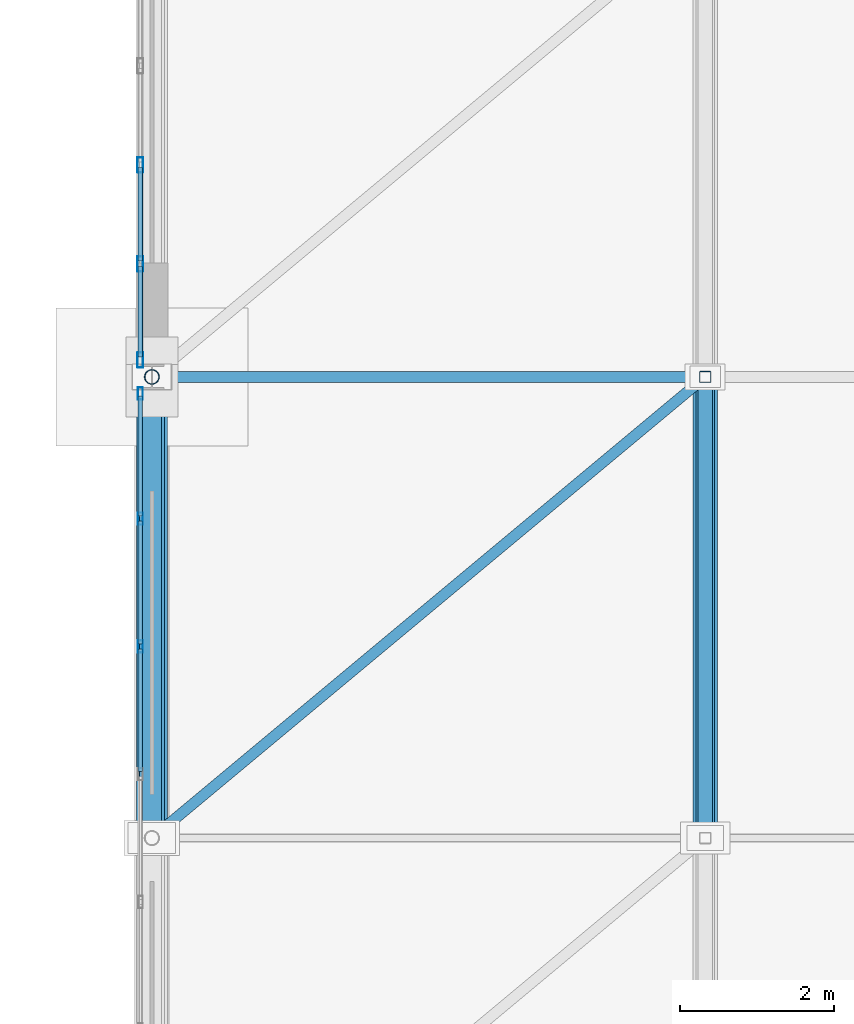
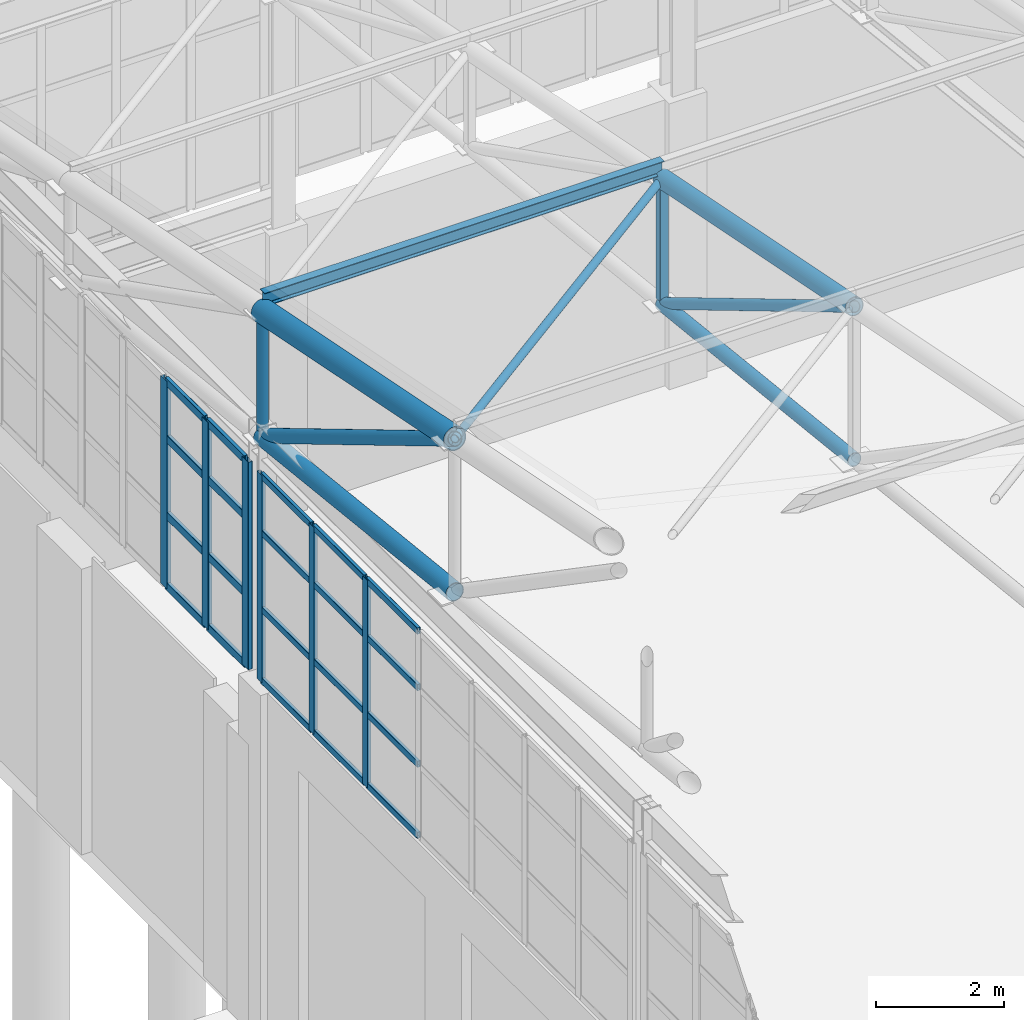
# One storey, part 197 of 293: 36 members, 2 elements without a shape of their own.
"""IFC4 building model written with IfcOpenShell, lengths in metres."""

from ifc_helpers import new_model, si_unit, direction, frame, origin, origin_2d, place, context, subcontext, project, spatial, hollow_rectangle, hollow_circle, i_section, extrude, material, layer, layer_set, material_profile, profile_set, type_object, element, aggregate, save


model = new_model("IFC4")

# Units and contexts
model_context = context("Model", 3, precision=1e-05, world=origin(), true_north=direction((0.0, 1.0)))
body_context = subcontext(model_context, "Body", "Model", "MODEL_VIEW")
ifc_project = project(units=[si_unit("LENGTHUNIT", "METRE"), si_unit("AREAUNIT", "SQUARE_METRE"), si_unit("VOLUMEUNIT", "CUBIC_METRE"), si_unit("PLANEANGLEUNIT", "RADIAN"), si_unit("MASSUNIT", "GRAM", prefix="KILO")], contexts=[model_context])

# Site, building, storey
site_placement = place(None, origin())
site = spatial("IfcSite", under=ifc_project, at=site_placement, CompositionType="ELEMENT")
building_placement = place(site_placement, origin())
building = spatial("IfcBuilding", under=site, at=building_placement, Name="Kemerveld Promenade Tramway Depot", CompositionType="ELEMENT")
storey_placement = place(building_placement, origin())
storey = spatial("IfcBuildingStorey", under=building, at=storey_placement, Name="L00", CompositionType="ELEMENT", Elevation=0.0)

# Curtain wall, members
ifc_material_1 = material(Name="Bronze anodised aluminium and solar glass", Category="aluminium")
ifc_layer_1 = layer(ifc_material_1, 0.159912109375)
ifc_layer_set_1 = layer_set([ifc_layer_1], Name="CW-SYS-11")
curtain_wall_type_1 = type_object("IfcCurtainWallType", Name="CW-SYS-11", PredefinedType="USERDEFINED", material=ifc_layer_set_1)
curtain_wall_1_placement = place(storey_placement, origin())
curtain_wall_1 = element("IfcCurtainWall", 1, at=curtain_wall_1_placement, inside=storey, type_object=curtain_wall_type_1, Name="CW-V1-W-04", ObjectType="GLAZED_CURTAIN_WALL", PredefinedType="USERDEFINED")
ifc_material_2 = material(Name="Bronze anodised aluminium", Category="aluminium")
ifc_material_profile_1 = material_profile(ifc_material_2, hollow_rectangle(XDim=0.06494140625, YDim=0.159912109375, WallThickness=0.00390625, InnerFilletRadius=0.001953125, OuterFilletRadius=0.00390625, at=origin_2d()), Name="CW-MUL-160x65")
ifc_profile_set_1 = profile_set([ifc_material_profile_1], Name="Bronze anodised aluminium")
member_type_1 = type_object("IfcMemberType", Name="CW-MUL-A", PredefinedType="MULLION", material=ifc_profile_set_1)
member_1_placement = place(storey_placement, frame((35.85009765625, 128.49267578125, 6.64990234375), z_axis=(0.0, 0.0, 1.0), x_axis=(-1.0, 0.0, 0.0)))
member_1 = element("IfcMember", 2, at=member_1_placement, type_object=member_type_1, Name="CW11 mullion 6", PredefinedType="MULLION", context=body_context, shape_type="SweptSolid", body=[
    extrude(hollow_rectangle(XDim=0.06494140625, YDim=0.159912109375, WallThickness=0.00390625, InnerFilletRadius=0.001953125, OuterFilletRadius=0.00390625, at=origin_2d()), origin(), (0.0, 0.0, 1.0), 3.9501953125),
])
member_2_placement = place(storey_placement, frame((35.85009765625, 130.154541015625, 6.64990234375), z_axis=(0.0, 0.0, 1.0), x_axis=(-1.0, 0.0, 0.0)))
member_2 = element("IfcMember", 3, at=member_2_placement, type_object=member_type_1, Name="CW11 mullion 7", PredefinedType="MULLION", context=body_context, shape_type="SweptSolid", body=[
    extrude(hollow_rectangle(XDim=0.06494140625, YDim=0.159912109375, WallThickness=0.00390625, InnerFilletRadius=0.001953125, OuterFilletRadius=0.00390625, at=origin_2d()), origin(), (0.0, 0.0, 1.0), 3.9501953125),
])
member_3_placement = place(storey_placement, frame((35.85009765625, 131.783935546875, 6.64990234375), z_axis=(0.0, 0.0, 1.0), x_axis=(-1.0, 0.0, 0.0)))
member_3 = element("IfcMember", 4, at=member_3_placement, type_object=member_type_1, Name="CW11 mullion 8", PredefinedType="MULLION", context=body_context, shape_type="SweptSolid", body=[
    extrude(hollow_rectangle(XDim=0.06494140625, YDim=0.159912109375, WallThickness=0.00390625, InnerFilletRadius=0.001953125, OuterFilletRadius=0.00390625, at=origin_2d()), origin(), (0.0, 0.0, 1.0), 3.9501953125),
])

ifc_layer_2 = layer(ifc_material_1, 0.199951171875)
ifc_layer_set_2 = layer_set([ifc_layer_2], Name="CW-SYS-12")
curtain_wall_type_2 = type_object("IfcCurtainWallType", Name="CW-SYS-12", PredefinedType="USERDEFINED", material=ifc_layer_set_2)
curtain_wall_2_placement = place(storey_placement, origin())
curtain_wall_2 = element("IfcCurtainWall", 5, at=curtain_wall_2_placement, inside=storey, type_object=curtain_wall_type_2, Name="CW-V1-W-05", ObjectType="GLAZED_CURTAIN_WALL", PredefinedType="USERDEFINED")
ifc_material_profile_2 = material_profile(ifc_material_2, hollow_rectangle(XDim=0.074951171875, YDim=0.199951171875, WallThickness=0.0048828125, InnerFilletRadius=0.001953125, OuterFilletRadius=0.0048828125, at=origin_2d()), Name="CW-MUL-200x75")
ifc_profile_set_2 = profile_set([ifc_material_profile_2], Name="Bronze anodised aluminium")
member_type_2 = type_object("IfcMemberType", Name="CW-MUL-B", PredefinedType="MULLION", material=ifc_profile_set_2)
member_4_placement = place(storey_placement, frame((35.85009765625, 132.220947265625, 6.64990234375), z_axis=(0.0, 0.0, 1.0), x_axis=(-1.0, 0.0, 0.0)))
member_4 = element("IfcMember", 6, at=member_4_placement, type_object=member_type_2, Name="CW12 mullion 1", PredefinedType="MULLION", context=body_context, shape_type="SweptSolid", body=[
    extrude(hollow_rectangle(XDim=0.074951171875, YDim=0.199951171875, WallThickness=0.0048828125, InnerFilletRadius=0.001953125, OuterFilletRadius=0.0048828125, at=origin_2d()), origin(), (0.0, 0.0, 1.0), 3.9501953125),
])
member_5_placement = place(storey_placement, frame((35.85009765625, 133.4716796875, 6.64990234375), z_axis=(0.0, 0.0, 1.0), x_axis=(-1.0, 0.0, 0.0)))
member_5 = element("IfcMember", 7, at=member_5_placement, type_object=member_type_2, Name="CW12 mullion 2", PredefinedType="MULLION", context=body_context, shape_type="SweptSolid", body=[
    extrude(hollow_rectangle(XDim=0.074951171875, YDim=0.199951171875, WallThickness=0.0048828125, InnerFilletRadius=0.001953125, OuterFilletRadius=0.0048828125, at=origin_2d()), origin(), (0.0, 0.0, 1.0), 3.9501953125),
])
member_6_placement = place(storey_placement, frame((35.85009765625, 134.759765625, 6.64990234375), z_axis=(0.0, 0.0, 1.0), x_axis=(-1.0, 0.0, 0.0)))
member_6 = element("IfcMember", 8, at=member_6_placement, type_object=member_type_2, Name="CW12 mullion 3", PredefinedType="MULLION", context=body_context, shape_type="SweptSolid", body=[
    extrude(hollow_rectangle(XDim=0.074951171875, YDim=0.199951171875, WallThickness=0.0048828125, InnerFilletRadius=0.001953125, OuterFilletRadius=0.0048828125, at=origin_2d()), origin(), (0.0, 0.0, 1.0), 3.9501953125),
])

# Member
ifc_material_profile_3 = material_profile(ifc_material_2, hollow_rectangle(XDim=0.06005859375, YDim=0.1201171875, WallThickness=0.00390625, InnerFilletRadius=0.001953125, OuterFilletRadius=0.00390625, at=origin_2d()), Name="CW-TRN-120x60")
ifc_profile_set_3 = profile_set([ifc_material_profile_3], Name="Bronze anodised aluminium")
member_type_3 = type_object("IfcMemberType", Name="CW-TRN-A", PredefinedType="USERDEFINED", material=ifc_profile_set_3)
member_7_placement = place(storey_placement, frame((35.85009765625, 126.863525390625, 6.679931640625), z_axis=(0.0, 1.0, 0.0), x_axis=(-1.0, 0.0, 0.0)))
member_7 = element("IfcMember", 9, at=member_7_placement, type_object=member_type_3, Name="CW11 transom 5.1", ObjectType="TRANSOM", PredefinedType="USERDEFINED", context=body_context, shape_type="SweptSolid", body=[
    extrude(hollow_rectangle(XDim=0.06005859375, YDim=0.1201171875, WallThickness=0.00390625, InnerFilletRadius=0.001953125, OuterFilletRadius=0.00390625, at=origin_2d()), origin(), (0.0, 0.0, 1.0), 1.5966796875),
])

member_8_placement = place(storey_placement, frame((35.85009765625, 126.863525390625, 8.032958984375), z_axis=(0.0, 1.0, 0.0), x_axis=(-1.0, 0.0, 0.0)))
member_8 = element("IfcMember", 10, at=member_8_placement, type_object=member_type_3, Name="CW11 transom 5.2", ObjectType="TRANSOM", PredefinedType="USERDEFINED", context=body_context, shape_type="SweptSolid", body=[
    extrude(hollow_rectangle(XDim=0.06005859375, YDim=0.1201171875, WallThickness=0.00390625, InnerFilletRadius=0.001953125, OuterFilletRadius=0.00390625, at=origin_2d()), origin(), (0.0, 0.0, 1.0), 1.5966796875),
])

member_9_placement = place(storey_placement, frame((35.85009765625, 126.863525390625, 9.493896484375), z_axis=(0.0, 1.0, 0.0), x_axis=(-1.0, 0.0, 0.0)))
member_9 = element("IfcMember", 11, at=member_9_placement, type_object=member_type_3, Name="CW11 transom 5.3", ObjectType="TRANSOM", PredefinedType="USERDEFINED", context=body_context, shape_type="SweptSolid", body=[
    extrude(hollow_rectangle(XDim=0.06005859375, YDim=0.1201171875, WallThickness=0.00390625, InnerFilletRadius=0.001953125, OuterFilletRadius=0.00390625, at=origin_2d()), origin(), (0.0, 0.0, 1.0), 1.5966796875),
])

member_10_placement = place(storey_placement, frame((35.85009765625, 126.863525390625, 10.570068359375), z_axis=(0.0, 1.0, 0.0), x_axis=(-1.0, 0.0, 0.0)))
member_10 = element("IfcMember", 12, at=member_10_placement, type_object=member_type_3, Name="CW11 transom 5.4", ObjectType="TRANSOM", PredefinedType="USERDEFINED", context=body_context, shape_type="SweptSolid", body=[
    extrude(hollow_rectangle(XDim=0.06005859375, YDim=0.1201171875, WallThickness=0.00390625, InnerFilletRadius=0.001953125, OuterFilletRadius=0.00390625, at=origin_2d()), origin(), (0.0, 0.0, 1.0), 1.5966796875),
])

member_11_placement = place(storey_placement, frame((35.85009765625, 128.525390625, 6.679931640625), z_axis=(0.0, 1.0, 0.0), x_axis=(-1.0, 0.0, 0.0)))
member_11 = element("IfcMember", 13, at=member_11_placement, type_object=member_type_3, Name="CW11 transom 6.1", ObjectType="TRANSOM", PredefinedType="USERDEFINED", context=body_context, shape_type="SweptSolid", body=[
    extrude(hollow_rectangle(XDim=0.06005859375, YDim=0.1201171875, WallThickness=0.00390625, InnerFilletRadius=0.001953125, OuterFilletRadius=0.00390625, at=origin_2d()), origin(), (0.0, 0.0, 1.0), 1.5966796875),
])

member_12_placement = place(storey_placement, frame((35.85009765625, 128.525390625, 8.032958984375), z_axis=(0.0, 1.0, 0.0), x_axis=(-1.0, 0.0, 0.0)))
member_12 = element("IfcMember", 14, at=member_12_placement, type_object=member_type_3, Name="CW11 transom 6.2", ObjectType="TRANSOM", PredefinedType="USERDEFINED", context=body_context, shape_type="SweptSolid", body=[
    extrude(hollow_rectangle(XDim=0.06005859375, YDim=0.1201171875, WallThickness=0.00390625, InnerFilletRadius=0.001953125, OuterFilletRadius=0.00390625, at=origin_2d()), origin(), (0.0, 0.0, 1.0), 1.5966796875),
])

member_13_placement = place(storey_placement, frame((35.85009765625, 128.525390625, 9.493896484375), z_axis=(0.0, 1.0, 0.0), x_axis=(-1.0, 0.0, 0.0)))
member_13 = element("IfcMember", 15, at=member_13_placement, type_object=member_type_3, Name="CW11 transom 6.3", ObjectType="TRANSOM", PredefinedType="USERDEFINED", context=body_context, shape_type="SweptSolid", body=[
    extrude(hollow_rectangle(XDim=0.06005859375, YDim=0.1201171875, WallThickness=0.00390625, InnerFilletRadius=0.001953125, OuterFilletRadius=0.00390625, at=origin_2d()), origin(), (0.0, 0.0, 1.0), 1.5966796875),
])

member_14_placement = place(storey_placement, frame((35.85009765625, 128.525390625, 10.570068359375), z_axis=(0.0, 1.0, 0.0), x_axis=(-1.0, 0.0, 0.0)))
member_14 = element("IfcMember", 16, at=member_14_placement, type_object=member_type_3, Name="CW11 transom 6.4", ObjectType="TRANSOM", PredefinedType="USERDEFINED", context=body_context, shape_type="SweptSolid", body=[
    extrude(hollow_rectangle(XDim=0.06005859375, YDim=0.1201171875, WallThickness=0.00390625, InnerFilletRadius=0.001953125, OuterFilletRadius=0.00390625, at=origin_2d()), origin(), (0.0, 0.0, 1.0), 1.5966796875),
])

member_15_placement = place(storey_placement, frame((35.85009765625, 130.187255859375, 6.679931640625), z_axis=(0.0, 1.0, 0.0), x_axis=(-1.0, 0.0, 0.0)))
member_15 = element("IfcMember", 17, at=member_15_placement, type_object=member_type_3, Name="CW11 transom 7.1", ObjectType="TRANSOM", PredefinedType="USERDEFINED", context=body_context, shape_type="SweptSolid", body=[
    extrude(hollow_rectangle(XDim=0.06005859375, YDim=0.1201171875, WallThickness=0.00390625, InnerFilletRadius=0.001953125, OuterFilletRadius=0.00390625, at=origin_2d()), origin(), (0.0, 0.0, 1.0), 1.564208984375),
])

member_16_placement = place(storey_placement, frame((35.85009765625, 130.187255859375, 8.032958984375), z_axis=(0.0, 1.0, 0.0), x_axis=(-1.0, 0.0, 0.0)))
member_16 = element("IfcMember", 18, at=member_16_placement, type_object=member_type_3, Name="CW11 transom 7.2", ObjectType="TRANSOM", PredefinedType="USERDEFINED", context=body_context, shape_type="SweptSolid", body=[
    extrude(hollow_rectangle(XDim=0.06005859375, YDim=0.1201171875, WallThickness=0.00390625, InnerFilletRadius=0.001953125, OuterFilletRadius=0.00390625, at=origin_2d()), origin(), (0.0, 0.0, 1.0), 1.564208984375),
])

member_17_placement = place(storey_placement, frame((35.85009765625, 130.187255859375, 9.493896484375), z_axis=(0.0, 1.0, 0.0), x_axis=(-1.0, 0.0, 0.0)))
member_17 = element("IfcMember", 19, at=member_17_placement, type_object=member_type_3, Name="CW11 transom 7.3", ObjectType="TRANSOM", PredefinedType="USERDEFINED", context=body_context, shape_type="SweptSolid", body=[
    extrude(hollow_rectangle(XDim=0.06005859375, YDim=0.1201171875, WallThickness=0.00390625, InnerFilletRadius=0.001953125, OuterFilletRadius=0.00390625, at=origin_2d()), origin(), (0.0, 0.0, 1.0), 1.564208984375),
])

member_18_placement = place(storey_placement, frame((35.85009765625, 130.187255859375, 10.570068359375), z_axis=(0.0, 1.0, 0.0), x_axis=(-1.0, 0.0, 0.0)))
member_18 = element("IfcMember", 20, at=member_18_placement, type_object=member_type_3, Name="CW11 transom 7.4", ObjectType="TRANSOM", PredefinedType="USERDEFINED", context=body_context, shape_type="SweptSolid", body=[
    extrude(hollow_rectangle(XDim=0.06005859375, YDim=0.1201171875, WallThickness=0.00390625, InnerFilletRadius=0.001953125, OuterFilletRadius=0.00390625, at=origin_2d()), origin(), (0.0, 0.0, 1.0), 1.564208984375),
])

aggregate(curtain_wall_1, [member_1, member_2, member_3, member_7, member_8, member_9, member_10, member_11, member_12, member_13, member_14, member_15, member_16, member_17, member_18])

ifc_material_profile_4 = material_profile(ifc_material_2, hollow_rectangle(XDim=0.06494140625, YDim=0.14990234375, WallThickness=0.00439453125, InnerFilletRadius=0.001953125, OuterFilletRadius=0.00439453125, at=origin_2d()), Name="CW-TRN-150x65")
ifc_profile_set_4 = profile_set([ifc_material_profile_4], Name="Bronze anodised aluminium")
member_type_4 = type_object("IfcMemberType", Name="CW-TRN-B", PredefinedType="USERDEFINED", material=ifc_profile_set_4)
member_19_placement = place(storey_placement, frame((35.85009765625, 132.258544921875, 6.6826171875), z_axis=(0.0, 1.0, 0.0), x_axis=(-1.0, 0.0, 0.0)))
member_19 = element("IfcMember", 21, at=member_19_placement, type_object=member_type_4, Name="CW12 transom 1.1", ObjectType="TRANSOM", PredefinedType="USERDEFINED", context=body_context, shape_type="SweptSolid", body=[
    extrude(hollow_rectangle(XDim=0.06494140625, YDim=0.14990234375, WallThickness=0.00439453125, InnerFilletRadius=0.001953125, OuterFilletRadius=0.00439453125, at=origin_2d()), origin(), (0.0, 0.0, 1.0), 1.175537109375),
])

member_20_placement = place(storey_placement, frame((35.85009765625, 132.258544921875, 8.032958984375), z_axis=(0.0, 1.0, 0.0), x_axis=(-1.0, 0.0, 0.0)))
member_20 = element("IfcMember", 22, at=member_20_placement, type_object=member_type_4, Name="CW12 transom 1.2", ObjectType="TRANSOM", PredefinedType="USERDEFINED", context=body_context, shape_type="SweptSolid", body=[
    extrude(hollow_rectangle(XDim=0.06494140625, YDim=0.14990234375, WallThickness=0.00439453125, InnerFilletRadius=0.001953125, OuterFilletRadius=0.00439453125, at=origin_2d()), origin(), (0.0, 0.0, 1.0), 1.175537109375),
])

member_21_placement = place(storey_placement, frame((35.85009765625, 132.258544921875, 9.493896484375), z_axis=(0.0, 1.0, 0.0), x_axis=(-1.0, 0.0, 0.0)))
member_21 = element("IfcMember", 23, at=member_21_placement, type_object=member_type_4, Name="CW12 transom 1.3", ObjectType="TRANSOM", PredefinedType="USERDEFINED", context=body_context, shape_type="SweptSolid", body=[
    extrude(hollow_rectangle(XDim=0.06494140625, YDim=0.14990234375, WallThickness=0.00439453125, InnerFilletRadius=0.001953125, OuterFilletRadius=0.00439453125, at=origin_2d()), origin(), (0.0, 0.0, 1.0), 1.175537109375),
])

member_22_placement = place(storey_placement, frame((35.85009765625, 132.258544921875, 10.5673828125), z_axis=(0.0, 1.0, 0.0), x_axis=(-1.0, 0.0, 0.0)))
member_22 = element("IfcMember", 24, at=member_22_placement, type_object=member_type_4, Name="CW12 transom 1.4", ObjectType="TRANSOM", PredefinedType="USERDEFINED", context=body_context, shape_type="SweptSolid", body=[
    extrude(hollow_rectangle(XDim=0.06494140625, YDim=0.14990234375, WallThickness=0.00439453125, InnerFilletRadius=0.001953125, OuterFilletRadius=0.00439453125, at=origin_2d()), origin(), (0.0, 0.0, 1.0), 1.175537109375),
])

member_23_placement = place(storey_placement, frame((35.85009765625, 133.509033203125, 6.6826171875), z_axis=(0.0, 1.0, 0.0), x_axis=(-1.0, 0.0, 0.0)))
member_23 = element("IfcMember", 25, at=member_23_placement, type_object=member_type_4, Name="CW12 transom 2.1", ObjectType="TRANSOM", PredefinedType="USERDEFINED", context=body_context, shape_type="SweptSolid", body=[
    extrude(hollow_rectangle(XDim=0.06494140625, YDim=0.14990234375, WallThickness=0.00439453125, InnerFilletRadius=0.001953125, OuterFilletRadius=0.00439453125, at=origin_2d()), origin(), (0.0, 0.0, 1.0), 1.213134765625),
])

member_24_placement = place(storey_placement, frame((35.85009765625, 133.509033203125, 8.032958984375), z_axis=(0.0, 1.0, 0.0), x_axis=(-1.0, 0.0, 0.0)))
member_24 = element("IfcMember", 26, at=member_24_placement, type_object=member_type_4, Name="CW12 transom 2.2", ObjectType="TRANSOM", PredefinedType="USERDEFINED", context=body_context, shape_type="SweptSolid", body=[
    extrude(hollow_rectangle(XDim=0.06494140625, YDim=0.14990234375, WallThickness=0.00439453125, InnerFilletRadius=0.001953125, OuterFilletRadius=0.00439453125, at=origin_2d()), origin(), (0.0, 0.0, 1.0), 1.213134765625),
])

member_25_placement = place(storey_placement, frame((35.85009765625, 133.509033203125, 9.493896484375), z_axis=(0.0, 1.0, 0.0), x_axis=(-1.0, 0.0, 0.0)))
member_25 = element("IfcMember", 27, at=member_25_placement, type_object=member_type_4, Name="CW12 transom 2.3", ObjectType="TRANSOM", PredefinedType="USERDEFINED", context=body_context, shape_type="SweptSolid", body=[
    extrude(hollow_rectangle(XDim=0.06494140625, YDim=0.14990234375, WallThickness=0.00439453125, InnerFilletRadius=0.001953125, OuterFilletRadius=0.00439453125, at=origin_2d()), origin(), (0.0, 0.0, 1.0), 1.213134765625),
])

member_26_placement = place(storey_placement, frame((35.85009765625, 133.509033203125, 10.5673828125), z_axis=(0.0, 1.0, 0.0), x_axis=(-1.0, 0.0, 0.0)))
member_26 = element("IfcMember", 28, at=member_26_placement, type_object=member_type_4, Name="CW12 transom 2.4", ObjectType="TRANSOM", PredefinedType="USERDEFINED", context=body_context, shape_type="SweptSolid", body=[
    extrude(hollow_rectangle(XDim=0.06494140625, YDim=0.14990234375, WallThickness=0.00439453125, InnerFilletRadius=0.001953125, OuterFilletRadius=0.00439453125, at=origin_2d()), origin(), (0.0, 0.0, 1.0), 1.213134765625),
])

aggregate(curtain_wall_2, [member_4, member_5, member_6, member_19, member_20, member_21, member_22, member_23, member_24, member_25, member_26])

# Members
ifc_material_3 = material(Name="Steel S355", Category="steel")
ifc_material_profile_5 = material_profile(ifc_material_3, i_section(OverallWidth=0.146484375, OverallDepth=0.256103515625, WebThickness=0.00634765625, FlangeThickness=0.010986328125, FilletRadius=0.007568359375, at=origin_2d()), Name="254x146x37 UB")
ifc_profile_set_5 = profile_set([ifc_material_profile_5], Name="Steel S355")
member_type_5 = type_object("IfcMemberType", Name="MB-PR3", PredefinedType="PURLIN", material=ifc_profile_set_5)
member_27_placement = place(storey_placement, frame((36.0, 132.0, 13.7451171875), z_axis=(1.0, 0.0, 0.0), x_axis=(0.0, 1.0, 0.0)))
element("IfcMember", 29, at=member_27_placement, inside=storey, type_object=member_type_5, Name="PUR-V1-08-06", PredefinedType="PURLIN", context=body_context, shape_type="SweptSolid", body=[
    extrude(i_section(OverallWidth=0.146484375, OverallDepth=0.256103515625, WebThickness=0.00634765625, FlangeThickness=0.010986328125, FilletRadius=0.007568359375, at=origin_2d()), origin(), (0.0, 0.0, 1.0), 7.199951171875),
])
ifc_material_profile_6 = material_profile(ifc_material_3, hollow_circle(Radius=0.122314453125, WallThickness=0.010009765625, at=origin_2d()), Name="244.5x10.0 CHS")
ifc_profile_set_6 = profile_set([ifc_material_profile_6], Name="Steel S355")
member_type_6 = type_object("IfcMemberType", Name="MB-TB1", PredefinedType="BRACE", material=ifc_profile_set_6)
member_28_placement = place(storey_placement, frame((36.0, 132.0, 11.1201171875), z_axis=(0.0, -0.8587636701, 0.512371895128), x_axis=(1.0, 0.0, 0.0)))
element("IfcMember", 30, at=member_28_placement, inside=storey, type_object=member_type_6, Name="TR-06-DG-08", PredefinedType="BRACE", context=body_context, shape_type="SweptSolid", body=[
    extrude(hollow_circle(Radius=0.122314453125, WallThickness=0.010009765625, at=origin_2d()), origin(), (0.0, 0.0, 1.0), 6.98681640625),
])
ifc_material_profile_7 = material_profile(ifc_material_3, hollow_circle(Radius=0.096923828125, WallThickness=0.008056640625, at=origin_2d()), Name="193.7x8.0 CHS")
ifc_profile_set_7 = profile_set([ifc_material_profile_7], Name="Steel S355")
member_type_7 = type_object("IfcMemberType", Name="MB-TB2", PredefinedType="BRACE", material=ifc_profile_set_7)
member_29_placement = place(storey_placement, frame((43.199951171875, 132.0, 11.1201171875), z_axis=(0.0, -0.8587636701, 0.512371895128), x_axis=(1.0, 0.0, 0.0)))
element("IfcMember", 31, at=member_29_placement, inside=storey, type_object=member_type_7, Name="TR-07-DG-08", PredefinedType="BRACE", context=body_context, shape_type="SweptSolid", body=[
    extrude(hollow_circle(Radius=0.096923828125, WallThickness=0.008056640625, at=origin_2d()), origin(), (0.0, 0.0, 1.0), 6.98681640625),
])
ifc_material_profile_8 = material_profile(ifc_material_3, hollow_circle(Radius=0.06982421875, WallThickness=0.00634765625, at=origin_2d()), Name="139.7x6.3 CHS")
ifc_profile_set_8 = profile_set([ifc_material_profile_8], Name="Steel S355")
member_type_8 = type_object("IfcMemberType", Name="MB-TB3", PredefinedType="BRACE", material=ifc_profile_set_8)
member_30_placement = place(storey_placement, frame((36.0, 126.0, 14.699951171875), z_axis=(0.761999094998, 0.635003552225, -0.126995542773), x_axis=(-0.640186961885, 0.768219144407, 0.0)))
element("IfcMember", 32, at=member_30_placement, inside=storey, type_object=member_type_8, Name="RBR-V1-07-06", PredefinedType="BRACE", context=body_context, shape_type="SweptSolid", body=[
    extrude(hollow_circle(Radius=0.06982421875, WallThickness=0.00634765625, at=origin_2d()), origin(), (0.0, 0.0, 1.0), 9.44873046875),
])
ifc_material_profile_9 = material_profile(ifc_material_3, hollow_circle(Radius=0.203125, WallThickness=0.01611328125, at=origin_2d()), Name="406.4x16.0 CHS")
ifc_profile_set_9 = profile_set([ifc_material_profile_9], Name="Steel S355")
member_type_9 = type_object("IfcMemberType", Name="MB-TC1", PredefinedType="CHORD", material=ifc_profile_set_9)
member_31_placement = place(storey_placement, frame((36.0, 126.0, 14.699951171875), z_axis=(0.0, 0.980582210276, -0.196108462057), x_axis=(-1.0, 0.0, 0.0)))
element("IfcMember", 33, at=member_31_placement, inside=storey, type_object=member_type_9, Name="TR-06-TC-08", PredefinedType="CHORD", context=body_context, shape_type="SweptSolid", body=[
    extrude(hollow_circle(Radius=0.203125, WallThickness=0.01611328125, at=origin_2d()), origin(), (0.0, 0.0, 1.0), 6.118896484375),
])
ifc_material_profile_10 = material_profile(ifc_material_3, hollow_circle(Radius=0.161865234375, WallThickness=0.012451171875, at=origin_2d()), Name="323.9x12.5 CHS")
ifc_profile_set_10 = profile_set([ifc_material_profile_10], Name="Steel S355")
member_type_10 = type_object("IfcMemberType", Name="MB-TC2", PredefinedType="CHORD", material=ifc_profile_set_10)
member_32_placement = place(storey_placement, frame((36.0, 126.0, 11.780029296875), z_axis=(0.0, 0.994005938353, -0.109326092585), x_axis=(-1.0, 0.0, 0.0)))
element("IfcMember", 34, at=member_32_placement, inside=storey, type_object=member_type_10, Name="TR-06-BC-08", PredefinedType="CHORD", context=body_context, shape_type="SweptSolid", body=[
    extrude(hollow_circle(Radius=0.161865234375, WallThickness=0.012451171875, at=origin_2d()), origin(), (0.0, 0.0, 1.0), 6.0361328125),
])
member_33_placement = place(storey_placement, frame((43.199951171875, 126.0, 14.699951171875), z_axis=(0.0, 0.980582210276, -0.196108462057), x_axis=(-1.0, 0.0, 0.0)))
element("IfcMember", 35, at=member_33_placement, inside=storey, type_object=member_type_10, Name="TR-07-TC-08", PredefinedType="CHORD", context=body_context, shape_type="SweptSolid", body=[
    extrude(hollow_circle(Radius=0.161865234375, WallThickness=0.012451171875, at=origin_2d()), origin(), (0.0, 0.0, 1.0), 6.118896484375),
])
ifc_material_profile_11 = material_profile(ifc_material_3, hollow_circle(Radius=0.122314453125, WallThickness=0.010009765625, at=origin_2d()), Name="244.5x10.0 CHS")
ifc_profile_set_11 = profile_set([ifc_material_profile_11], Name="Steel S355")
member_type_11 = type_object("IfcMemberType", Name="MB-TC3", PredefinedType="CHORD", material=ifc_profile_set_11)
member_34_placement = place(storey_placement, frame((43.199951171875, 126.0, 11.780029296875), z_axis=(0.0, 0.994005938353, -0.109326092585), x_axis=(-1.0, 0.0, 0.0)))
element("IfcMember", 36, at=member_34_placement, inside=storey, type_object=member_type_11, Name="TR-07-BC-08", PredefinedType="CHORD", context=body_context, shape_type="SweptSolid", body=[
    extrude(hollow_circle(Radius=0.122314453125, WallThickness=0.010009765625, at=origin_2d()), origin(), (0.0, 0.0, 1.0), 6.0361328125),
])
ifc_material_profile_12 = material_profile(ifc_material_3, hollow_circle(Radius=0.096923828125, WallThickness=0.008056640625, at=origin_2d()), Name="193.7x8.0 CHS")
ifc_profile_set_12 = profile_set([ifc_material_profile_12], Name="Steel S355")
member_type_12 = type_object("IfcMemberType", Name="MB-TP1", PredefinedType="POST", material=ifc_profile_set_12)
member_35_placement = place(storey_placement, frame((36.0, 132.0, 11.1201171875), z_axis=(0.0, 0.0, 1.0), x_axis=(1.0, 0.0, 0.0)))
element("IfcMember", 37, at=member_35_placement, inside=storey, type_object=member_type_12, Name="TR-06-VT-08", PredefinedType="POST", context=body_context, shape_type="SweptSolid", body=[
    extrude(hollow_circle(Radius=0.096923828125, WallThickness=0.008056640625, at=origin_2d()), origin(), (0.0, 0.0, 1.0), 2.3798828125),
])
ifc_material_profile_13 = material_profile(ifc_material_3, hollow_rectangle(XDim=0.14990234375, YDim=0.14990234375, WallThickness=0.008056640625, InnerFilletRadius=0.00390625, OuterFilletRadius=0.011962890625, at=origin_2d()), Name="150x150x8.0 SHS")
ifc_profile_set_13 = profile_set([ifc_material_profile_13], Name="Steel S355")
member_type_13 = type_object("IfcMemberType", Name="MB-TP2", PredefinedType="POST", material=ifc_profile_set_13)
member_36_placement = place(storey_placement, frame((43.199951171875, 132.0, 11.1201171875), z_axis=(0.0, 0.0, 1.0), x_axis=(1.0, 0.0, 0.0)))
element("IfcMember", 38, at=member_36_placement, inside=storey, type_object=member_type_13, Name="TR-07-VT-08", PredefinedType="POST", context=body_context, shape_type="SweptSolid", body=[
    extrude(hollow_rectangle(XDim=0.14990234375, YDim=0.14990234375, WallThickness=0.008056640625, InnerFilletRadius=0.00390625, OuterFilletRadius=0.011962890625, at=origin_2d()), origin(), (0.0, 0.0, 1.0), 2.3798828125),
])

save(model, "model.ifc")
